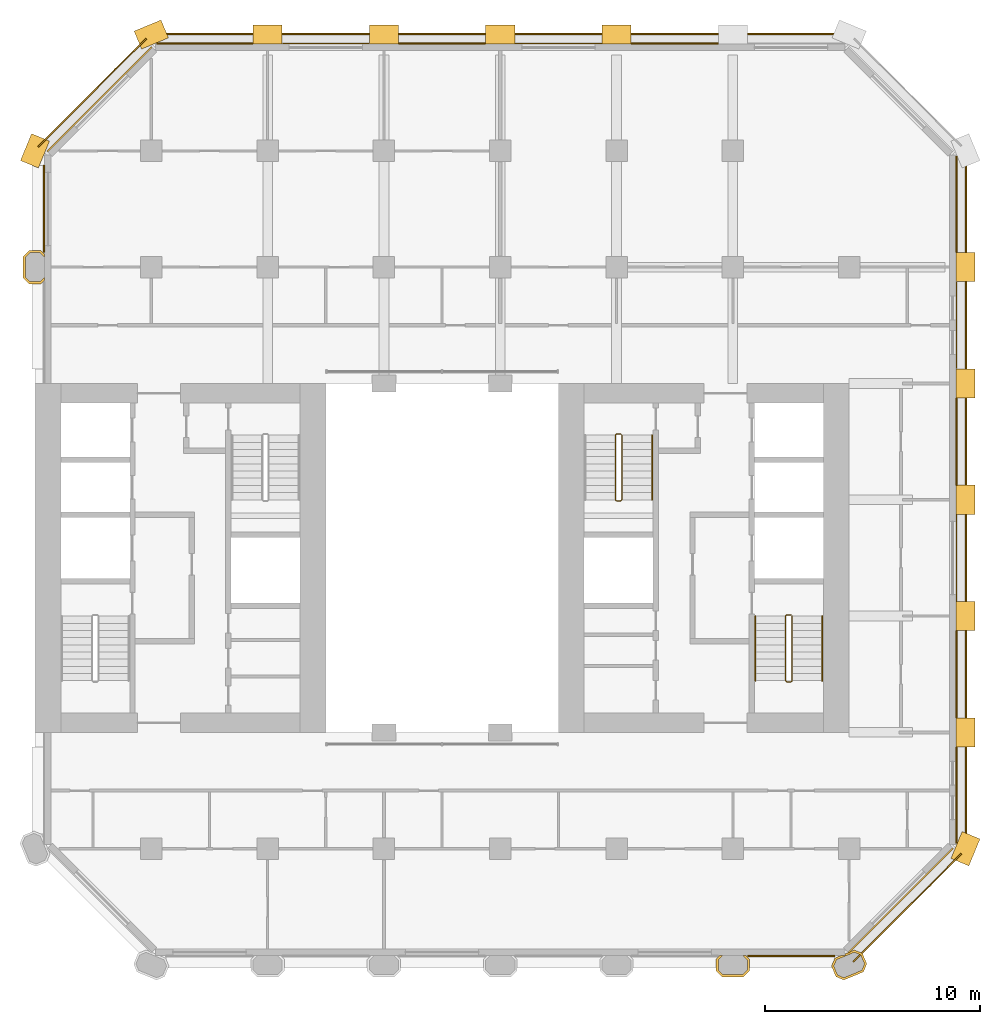
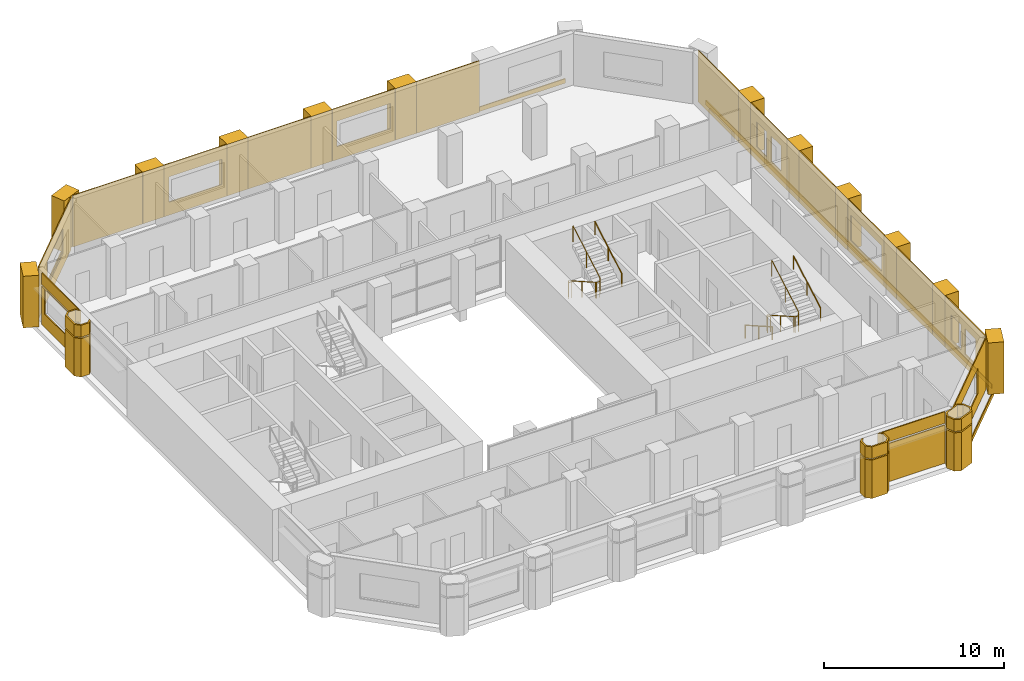
# One storey, part 9 of 10: 39 coverings, 5 railings.
"""IFC4 building model written with IfcOpenShell, lengths in metres."""

from ifc_helpers import new_model, si_unit, direction, frame, frame_2d, origin, origin_2d, place, context, subcontext, project, spatial, polyline, rectangle, circle, outline, extrude, material, layer, layer_set, type_object, element, save


model = new_model("IFC4")

# Units and contexts
model_context = context("Model", 3, precision=1e-05, world=origin(), true_north=direction((0.0, 1.0)))
body_context = subcontext(model_context, "Body", "Model", "MODEL_VIEW")
ifc_project = project(units=[si_unit("LENGTHUNIT", "METRE"), si_unit("AREAUNIT", "SQUARE_METRE"), si_unit("VOLUMEUNIT", "CUBIC_METRE"), si_unit("PLANEANGLEUNIT", "RADIAN"), si_unit("MASSUNIT", "GRAM", prefix="KILO")], contexts=[model_context])

# Site, building, storey
site_placement = place(None, origin())
site = spatial("IfcSite", under=ifc_project, at=site_placement, CompositionType="ELEMENT")
building_placement = place(site_placement, origin())
building = spatial("IfcBuilding", under=site, at=building_placement, Name="Tabaq Tower and Sports Hall", CompositionType="ELEMENT")
storey_placement = place(building_placement, frame((0.0, 0.0, 87.800048828125)))
storey = spatial("IfcBuildingStorey", under=building, at=storey_placement, Name="L20", CompositionType="ELEMENT", Elevation=87.800048828125)

# Coverings
ifc_material_1 = material(Name="Precast concrete C60/75", Category="concrete")
ifc_layer_1 = layer(ifc_material_1, 0.10009765625)
ifc_layer_set_1 = layer_set([ifc_layer_1], Name="Column cladding 100")
covering_type_1 = type_object("IfcCoveringType", Name="Column cladding 100", PredefinedType="CLADDING", material=ifc_layer_set_1)
covering_1_placement = place(storey_placement, origin())
element("IfcCovering", 1, at=covering_1_placement, inside=storey, type_object=covering_type_1, Name="Column cladding L20 PC-2H-O2", PredefinedType="CLADDING", context=body_context, shape_type="SweptSolid", body=[
    extrude(outline(polyline([(5.1337890625, 37.025390625), (4.850341796875, 37.30859375), (4.850341796875, 38.291259765625), (5.1337890625, 38.57470703125), (5.666259765625, 38.57470703125), (5.849609375, 38.391357421875), (5.849609375, 38.250732421875), (5.625244140625, 38.475341796875), (5.1748046875, 38.475341796875), (4.94970703125, 38.250244140625), (4.94970703125, 37.349853515625), (5.1748046875, 37.124755859375), (5.625244140625, 37.124755859375), (5.849609375, 37.349365234375), (5.849609375, 37.208740234375), (5.666259765625, 37.025390625), (5.1337890625, 37.025390625)])), origin(), (0.0, 0.0, 1.0), 2.599853515625),
])
covering_2_placement = place(storey_placement, frame((0.0, 0.0, 2.699951171875)))
element("IfcCovering", 2, at=covering_2_placement, inside=storey, type_object=covering_type_1, Name="Column cladding L20 PC-2H-O2 2", PredefinedType="CLADDING", context=body_context, shape_type="SweptSolid", body=[
    extrude(outline(polyline([(5.1337890625, 37.025390625), (4.850341796875, 37.30859375), (4.850341796875, 38.291259765625), (5.1337890625, 38.57470703125), (5.666259765625, 38.57470703125), (5.849609375, 38.391357421875), (5.849609375, 38.250732421875), (5.625244140625, 38.475341796875), (5.1748046875, 38.475341796875), (4.94970703125, 38.250244140625), (4.94970703125, 37.349853515625), (5.1748046875, 37.124755859375), (5.625244140625, 37.124755859375), (5.849609375, 37.349365234375), (5.849609375, 37.208740234375), (5.666259765625, 37.025390625), (5.1337890625, 37.025390625)])), origin(), (0.0, 0.0, 1.0), 0.800048828125),
])
covering_3_placement = place(storey_placement, origin())
element("IfcCovering", 3, at=covering_3_placement, inside=storey, type_object=covering_type_1, Name="Column cladding L20 PC-8B-O2", PredefinedType="CLADDING", context=body_context, shape_type="SweptSolid", body=[
    extrude(outline(polyline([(37.025390625, 5.666259765625), (37.208740234375, 5.849609375), (37.349365234375, 5.849609375), (37.124755859375, 5.625244140625), (37.124755859375, 5.1748046875), (37.349853515625, 4.94970703125), (38.250244140625, 4.94970703125), (38.475341796875, 5.1748046875), (38.475341796875, 5.625244140625), (38.250732421875, 5.849609375), (38.391357421875, 5.849609375), (38.57470703125, 5.666259765625), (38.57470703125, 5.1337890625), (38.291259765625, 4.850341796875), (37.30859375, 4.850341796875), (37.025390625, 5.1337890625), (37.025390625, 5.666259765625)])), origin(), (0.0, 0.0, 1.0), 2.599853515625),
])
covering_4_placement = place(storey_placement, frame((0.0, 0.0, 2.699951171875)))
element("IfcCovering", 4, at=covering_4_placement, inside=storey, type_object=covering_type_1, Name="Column cladding L20 PC-8B-O2 2", PredefinedType="CLADDING", context=body_context, shape_type="SweptSolid", body=[
    extrude(outline(polyline([(37.025390625, 5.666259765625), (37.208740234375, 5.849609375), (37.349365234375, 5.849609375), (37.124755859375, 5.625244140625), (37.124755859375, 5.1748046875), (37.349853515625, 4.94970703125), (38.250244140625, 4.94970703125), (38.475341796875, 5.1748046875), (38.475341796875, 5.625244140625), (38.250732421875, 5.849609375), (38.391357421875, 5.849609375), (38.57470703125, 5.666259765625), (38.57470703125, 5.1337890625), (38.291259765625, 4.850341796875), (37.30859375, 4.850341796875), (37.025390625, 5.1337890625), (37.025390625, 5.666259765625)])), origin(), (0.0, 0.0, 1.0), 0.800048828125),
])
covering_5_placement = place(storey_placement, origin())
element("IfcCovering", 5, at=covering_5_placement, inside=storey, type_object=covering_type_1, Name="Column cladding L20 PC-9B-O2", PredefinedType="CLADDING", context=body_context, shape_type="SweptSolid", body=[
    extrude(outline(polyline([(42.38232421875, 5.349609375), (42.53564453125, 5.7197265625), (42.84912109375, 5.849609375), (43.013916015625, 5.849609375), (43.013916015625, 5.91796875), (43.16748046875, 5.9814453125), (43.198974609375, 5.9501953125), (43.27490234375, 6.026123046875), (43.443603515625, 6.095947265625), (43.813720703125, 5.9423828125), (44.017578125, 5.450439453125), (43.8642578125, 5.080078125), (42.95654296875, 4.7041015625), (42.586181640625, 4.857421875), (42.38232421875, 5.349609375)]), holes=[polyline([(43.91015625, 5.450439453125), (43.73779296875, 5.866455078125), (43.443603515625, 5.98828125), (42.61181640625, 5.643798828125), (42.489990234375, 5.349609375), (42.662353515625, 4.93359375), (42.95654296875, 4.811767578125), (43.7880859375, 5.15625), (43.91015625, 5.450439453125)])]), origin(), (0.0, 0.0, 1.0), 2.599853515625),
])
covering_6_placement = place(storey_placement, frame((0.0, 0.0, 2.699951171875)))
element("IfcCovering", 6, at=covering_6_placement, inside=storey, type_object=covering_type_1, Name="Column cladding L20 PC-9B-O2 2", PredefinedType="CLADDING", context=body_context, shape_type="SweptSolid", body=[
    extrude(outline(polyline([(42.38232421875, 5.349609375), (42.53564453125, 5.7197265625), (42.84912109375, 5.849609375), (43.013916015625, 5.849609375), (43.013916015625, 5.91796875), (43.16748046875, 5.9814453125), (43.198974609375, 5.9501953125), (43.27490234375, 6.026123046875), (43.443603515625, 6.095947265625), (43.813720703125, 5.9423828125), (44.017578125, 5.450439453125), (43.8642578125, 5.080078125), (42.95654296875, 4.7041015625), (42.586181640625, 4.857421875), (42.38232421875, 5.349609375)]), holes=[polyline([(43.91015625, 5.450439453125), (43.73779296875, 5.866455078125), (43.443603515625, 5.98828125), (42.61181640625, 5.643798828125), (42.489990234375, 5.349609375), (42.662353515625, 4.93359375), (42.95654296875, 4.811767578125), (43.7880859375, 5.15625), (43.91015625, 5.450439453125)])]), origin(), (0.0, 0.0, 1.0), 0.800048828125),
])
ifc_material_2 = material(Name="Precast concrete C60/75", Category="concrete")
ifc_layer_2 = layer(ifc_material_2, 0.06005859375)
ifc_layer_set_2 = layer_set([ifc_layer_2], Name="Edge beam cladding 60")
covering_type_2 = type_object("IfcCoveringType", Name="Edge beam cladding 60", PredefinedType="CLADDING", material=ifc_layer_set_2)
covering_7_placement = place(storey_placement, frame((43.39794921875, 5.5556640625, -0.300048828125), z_axis=(0.0, 0.0, 1.0), x_axis=(0.707124002701, 0.707089559252, 0.0)))
element("IfcCovering", 7, at=covering_7_placement, inside=storey, type_object=covering_type_2, Name="Edge beam cladding L20 1", PredefinedType="CLADDING", context=body_context, shape_type="SweptSolid", body=[
    extrude(rectangle(XDim=7.088134765625, YDim=0.06005859375, at=frame_2d((3.5439453125, 0.0))), origin(), (0.0, 0.0, 1.0), 0.300048828125),
])
for number, where, z_axis, x_axis, name in (
    (8, (48.6298828125, 11.0986328125, -0.300048828125), (0.0, 0.0, 1.0), (0.0, 1.0, 0.0), "Edge beam cladding L20 2"),
    (9, (42.9013671875, 48.6298828125, -0.300048828125), (0.0, 0.0, 1.0), (-1.0, 0.0, 0.0), "Edge beam cladding L20 4"),
):
    element("IfcCovering", number, at=place(storey_placement, frame(where, z_axis=z_axis, x_axis=x_axis)), inside=storey, type_object=covering_type_2, Name=name, PredefinedType="CLADDING", context=body_context, shape_type="SweptSolid", body=[
        extrude(rectangle(XDim=31.802734375, YDim=0.06005859375, at=frame_2d((15.9013671875, 0.0))), origin(), (0.0, 0.0, 1.0), 0.300048828125),
    ])
covering_8_placement = place(storey_placement, frame((10.567626953125, 48.41015625, -0.300048828125), z_axis=(0.0, 0.0, 1.0), x_axis=(-0.707089559252, -0.707124002701, 0.0)))
element("IfcCovering", 10, at=covering_8_placement, inside=storey, type_object=covering_type_2, Name="Edge beam cladding L20 5", PredefinedType="CLADDING", context=body_context, shape_type="SweptSolid", body=[
    extrude(rectangle(XDim=7.088134765625, YDim=0.06005859375, at=frame_2d((3.5439453125, 0.0))), origin(), (0.0, 0.0, 1.0), 0.300048828125),
])
ifc_material_3 = material(Name="White precast concrete C60/75", Category="concrete")
covering_type_3 = type_object("IfcCoveringType", Name="Pier cladding hung 1350x900", PredefinedType="CLADDING", material=ifc_material_3)
for number, where, z_axis, x_axis, name in (
    (11, (5.658203125, 43.82373046875, 0.0), (0.0, 0.0, 1.0), (-0.382649923473, -0.923893411637, 0.0), "Hung pier cladding 1/8"),
    (12, (11.423583984375, 48.8583984375, 0.0), (0.0, 0.0, 1.0), (-0.923893411637, -0.382649923473, 0.0), "Hung pier cladding 2/9"),
    (13, (16.875, 48.60009765625, 0.0), (0.0, 0.0, 1.0), (-1.0, 0.0, 0.0), "Hung pier cladding 3/9"),
):
    element("IfcCovering", number, at=place(storey_placement, frame(where, z_axis=z_axis, x_axis=x_axis)), inside=storey, type_object=covering_type_3, Name=name, PredefinedType="CLADDING", context=body_context, shape_type="SweptSolid", body=[
        extrude(rectangle(XDim=1.35009765625, YDim=0.89990234375, at=frame_2d((0.675048828125, 0.0))), origin(), (0.0, 0.0, 1.0), 3.5),
    ])
covering_9_placement = place(storey_placement, frame((22.27490234375, 48.60009765625, 0.0), z_axis=(0.0, 0.0, 1.0), x_axis=(-1.0, 0.0, 0.0)))
element("IfcCovering", 14, at=covering_9_placement, inside=storey, type_object=covering_type_3, Name="Hung pier cladding 4/9", PredefinedType="CLADDING", context=body_context, shape_type="SweptSolid", body=[
    extrude(rectangle(XDim=1.349853515625, YDim=0.89990234375, at=frame_2d((0.6748046875, 0.0))), origin(), (0.0, 0.0, 1.0), 3.5),
])
covering_10_placement = place(storey_placement, frame((27.675048828125, 48.60009765625, 0.0), z_axis=(0.0, 0.0, 1.0), x_axis=(-1.0, 0.0, 0.0)))
element("IfcCovering", 15, at=covering_10_placement, inside=storey, type_object=covering_type_3, Name="Hung pier cladding 5/9", PredefinedType="CLADDING", context=body_context, shape_type="SweptSolid", body=[
    extrude(rectangle(XDim=1.35009765625, YDim=0.89990234375, at=frame_2d((0.675048828125, 0.0))), origin(), (0.0, 0.0, 1.0), 3.5),
])
covering_11_placement = place(storey_placement, frame((33.074951171875, 48.60009765625, 0.0), z_axis=(0.0, 0.0, 1.0), x_axis=(-1.0, 0.0, 0.0)))
element("IfcCovering", 16, at=covering_11_placement, inside=storey, type_object=covering_type_3, Name="Hung pier cladding 6/9", PredefinedType="CLADDING", context=body_context, shape_type="SweptSolid", body=[
    extrude(rectangle(XDim=1.349853515625, YDim=0.89990234375, at=frame_2d((0.6748046875, 0.0))), origin(), (0.0, 0.0, 1.0), 3.5),
])
for number, where, z_axis, x_axis, name in (
    (17, (48.341796875, 10.17626953125, 0.0), (0.0, 0.0, 1.0), (0.382649923473, 0.923893411637, 0.0), "Hung pier cladding 9/2"),
    (18, (48.60009765625, 15.52490234375, 0.0), (0.0, 0.0, 1.0), (0.0, 1.0, 0.0), "Hung pier cladding 9/3"),
):
    element("IfcCovering", number, at=place(storey_placement, frame(where, z_axis=z_axis, x_axis=x_axis)), inside=storey, type_object=covering_type_3, Name=name, PredefinedType="CLADDING", context=body_context, shape_type="SweptSolid", body=[
        extrude(rectangle(XDim=1.35009765625, YDim=0.89990234375, at=frame_2d((0.675048828125, 0.0))), origin(), (0.0, 0.0, 1.0), 3.5),
    ])
covering_12_placement = place(storey_placement, frame((48.60009765625, 20.925048828125, 0.0), z_axis=(0.0, 0.0, 1.0), x_axis=(0.0, 1.0, 0.0)))
element("IfcCovering", 19, at=covering_12_placement, inside=storey, type_object=covering_type_3, Name="Hung pier cladding 9/4", PredefinedType="CLADDING", context=body_context, shape_type="SweptSolid", body=[
    extrude(rectangle(XDim=1.349853515625, YDim=0.89990234375, at=frame_2d((0.6748046875, 0.0))), origin(), (0.0, 0.0, 1.0), 3.5),
])
covering_13_placement = place(storey_placement, frame((48.60009765625, 26.324951171875, 0.0), z_axis=(0.0, 0.0, 1.0), x_axis=(0.0, 1.0, 0.0)))
element("IfcCovering", 20, at=covering_13_placement, inside=storey, type_object=covering_type_3, Name="Hung pier cladding 9/5", PredefinedType="CLADDING", context=body_context, shape_type="SweptSolid", body=[
    extrude(rectangle(XDim=1.35009765625, YDim=0.89990234375, at=frame_2d((0.675048828125, 0.0))), origin(), (0.0, 0.0, 1.0), 3.5),
])
covering_14_placement = place(storey_placement, frame((48.60009765625, 31.72509765625, 0.0), z_axis=(0.0, 0.0, 1.0), x_axis=(0.0, 1.0, 0.0)))
element("IfcCovering", 21, at=covering_14_placement, inside=storey, type_object=covering_type_3, Name="Hung pier cladding 9/6", PredefinedType="CLADDING", context=body_context, shape_type="SweptSolid", body=[
    extrude(rectangle(XDim=1.349853515625, YDim=0.89990234375, at=frame_2d((0.6748046875, 0.0))), origin(), (0.0, 0.0, 1.0), 3.5),
])
covering_15_placement = place(storey_placement, frame((48.60009765625, 37.125, 0.0), z_axis=(0.0, 0.0, 1.0), x_axis=(0.0, 1.0, 0.0)))
element("IfcCovering", 22, at=covering_15_placement, inside=storey, type_object=covering_type_3, Name="Hung pier cladding 9/7", PredefinedType="CLADDING", context=body_context, shape_type="SweptSolid", body=[
    extrude(rectangle(XDim=1.35009765625, YDim=0.89990234375, at=frame_2d((0.675048828125, 0.0))), origin(), (0.0, 0.0, 1.0), 3.5),
])

# Railings
ifc_material_4 = material(Name="Stainless steel", Category="steel")
railing_type_1 = type_object("IfcRailingType", Name="Stair guard", PredefinedType="GUARDRAIL", material=ifc_material_4)
railing_1_placement = place(storey_placement, frame((40.5, 21.64990234375, 0.0)))
element("IfcRailing", 23, at=railing_1_placement, inside=storey, type_object=railing_type_1, Name="L20 ST3 stair guard 1", PredefinedType="GUARDRAIL", context=body_context, shape_type="SweptSolid", body=[
    extrude(circle(Radius=0.02392578125, at=origin_2d()), frame((0.0, 0.0, 1.076171875), z_axis=(-1.0, 0.0, 0.0), x_axis=(0.0, -1.0, 0.0)), (0.0, 0.0, 1.0), 0.199951171875),
    extrude(circle(Radius=0.02392578125, at=origin_2d()), frame((-0.199951171875, 0.0, 1.076171875), z_axis=(-0.246983470365, -0.245778672949, 0.937332389972), x_axis=(0.705375805398, -0.708833529934, 0.0)), (0.0, 0.0, 1.0), 0.20263671875),
    extrude(circle(Radius=0.02392578125, at=origin_2d()), frame((-0.25, -0.0498046875, 1.26611328125), z_axis=(0.0, -0.868782136927, 0.495194505781), x_axis=(1.0, 0.0, 0.0)), (0.0, 0.0, 1.0), 3.453125),
    extrude(circle(Radius=0.02392578125, at=origin_2d()), frame((-0.25, -3.0498046875, 2.97607421875), z_axis=(0.707106781187, -0.707106781187, 0.0), x_axis=(0.707106781187, 0.707106781187, 0.0)), (0.0, 0.0, 1.0), 0.07080078125),
    extrude(circle(Radius=0.02392578125, at=origin_2d()), frame((-0.199951171875, -3.099853515625, 2.97607421875), z_axis=(1.0, 0.0, 0.0), x_axis=(0.0, 1.0, 0.0)), (0.0, 0.0, 1.0), 0.199951171875),
    extrude(circle(Radius=0.02392578125, at=origin_2d()), frame((0.0, -3.099853515625, 2.97607421875), z_axis=(0.246910188598, 0.246910188598, 0.937054276727), x_axis=(-0.707106781187, 0.707106781187, 0.0)), (0.0, 0.0, 1.0), 0.20263671875),
    extrude(circle(Radius=0.02392578125, at=origin_2d()), frame((0.050048828125, -3.0498046875, 3.166015625), z_axis=(0.0, 0.868751719353, 0.495247867356), x_axis=(-1.0, 0.0, 0.0)), (0.0, 0.0, 1.0), 3.453125),
    extrude(circle(Radius=0.02099609375, at=origin_2d()), origin(), (0.0, 0.0, 1.0), 1.052001953125),
    extrude(circle(Radius=0.02099609375, at=origin_2d()), frame((-0.199951171875, 0.0, 0.0)), (0.0, 0.0, 1.0), 1.052001953125),
    extrude(circle(Radius=0.02099609375, at=origin_2d()), frame((-0.25, -0.0498046875, 0.18994140625)), (0.0, 0.0, 1.0), 1.052001953125),
    extrude(circle(Radius=0.02099609375, at=origin_2d()), frame((-0.25, -1.5498046875, 1.044921875)), (0.0, 0.0, 1.0), 1.052001953125),
    extrude(circle(Radius=0.02099609375, at=origin_2d()), frame((-0.25, -3.0498046875, 1.89990234375)), (0.0, 0.0, 1.0), 1.052001953125),
    extrude(circle(Radius=0.02099609375, at=origin_2d()), frame((-0.199951171875, -3.099853515625, 1.89990234375)), (0.0, 0.0, 1.0), 1.052001953125),
    extrude(circle(Radius=0.02099609375, at=origin_2d()), frame((0.0, -3.099853515625, 1.89990234375)), (0.0, 0.0, 1.0), 1.052001953125),
    extrude(circle(Radius=0.02099609375, at=origin_2d()), frame((0.050048828125, -3.0498046875, 2.08984375)), (0.0, 0.0, 1.0), 1.052001953125),
    extrude(circle(Radius=0.02099609375, at=origin_2d()), frame((0.050048828125, -1.5498046875, 2.94482421875)), (0.0, 0.0, 1.0), 1.052001953125),
    extrude(circle(Radius=0.02099609375, at=origin_2d()), frame((0.050048828125, -0.0498046875, 3.800048828125)), (0.0, 0.0, 1.0), 1.052001953125),
])
railing_2_placement = place(storey_placement, frame((32.60009765625, 30.050048828125, 0.0)))
element("IfcRailing", 24, at=railing_2_placement, inside=storey, type_object=railing_type_1, Name="L20 ST4 stair guard 1", PredefinedType="GUARDRAIL", context=body_context, shape_type="SweptSolid", body=[
    extrude(circle(Radius=0.02392578125, at=origin_2d()), frame((0.0, 0.0, 1.076171875), z_axis=(-1.0, 0.0, 0.0), x_axis=(0.0, -1.0, 0.0)), (0.0, 0.0, 1.0), 0.2001953125),
    extrude(circle(Radius=0.02392578125, at=origin_2d()), frame((-0.2001953125, 0.0, 1.076171875), z_axis=(-0.245778672949, -0.246983470365, 0.937332389972), x_axis=(0.708833529934, -0.705375805398, 0.0)), (0.0, 0.0, 1.0), 0.20263671875),
    extrude(circle(Radius=0.02392578125, at=origin_2d()), frame((-0.25, -0.050048828125, 1.26611328125), z_axis=(0.0, -0.868782136927, 0.495194505781), x_axis=(1.0, 0.0, 0.0)), (0.0, 0.0, 1.0), 3.453125),
    extrude(circle(Radius=0.02392578125, at=origin_2d()), frame((-0.25, -3.050048828125, 2.97607421875), z_axis=(0.705375805398, -0.708833529934, 0.0), x_axis=(0.708833529934, 0.705375805398, 0.0)), (0.0, 0.0, 1.0), 0.070556640625),
    extrude(circle(Radius=0.02392578125, at=origin_2d()), frame((-0.2001953125, -3.10009765625, 2.97607421875), z_axis=(1.0, 0.0, 0.0), x_axis=(0.0, 1.0, 0.0)), (0.0, 0.0, 1.0), 0.2001953125),
    extrude(circle(Radius=0.02392578125, at=origin_2d()), frame((0.0, -3.10009765625, 2.97607421875), z_axis=(0.245778672949, 0.246983470365, 0.937332389972), x_axis=(-0.708833529934, 0.705375805398, 0.0)), (0.0, 0.0, 1.0), 0.20263671875),
    extrude(circle(Radius=0.02392578125, at=origin_2d()), frame((0.0498046875, -3.050048828125, 3.166015625), z_axis=(0.0, 0.868751719353, 0.495247867356), x_axis=(-1.0, 0.0, 0.0)), (0.0, 0.0, 1.0), 3.453125),
    extrude(circle(Radius=0.02099609375, at=origin_2d()), origin(), (0.0, 0.0, 1.0), 1.052001953125),
    extrude(circle(Radius=0.02099609375, at=origin_2d()), frame((-0.2001953125, 0.0, 0.0)), (0.0, 0.0, 1.0), 1.052001953125),
    extrude(circle(Radius=0.02099609375, at=origin_2d()), frame((-0.25, -0.050048828125, 0.18994140625)), (0.0, 0.0, 1.0), 1.052001953125),
    extrude(circle(Radius=0.02099609375, at=origin_2d()), frame((-0.25, -1.550048828125, 1.044921875)), (0.0, 0.0, 1.0), 1.052001953125),
    extrude(circle(Radius=0.02099609375, at=origin_2d()), frame((-0.25, -3.050048828125, 1.89990234375)), (0.0, 0.0, 1.0), 1.052001953125),
    extrude(circle(Radius=0.02099609375, at=origin_2d()), frame((-0.2001953125, -3.10009765625, 1.89990234375)), (0.0, 0.0, 1.0), 1.052001953125),
    extrude(circle(Radius=0.02099609375, at=origin_2d()), frame((0.0, -3.10009765625, 1.89990234375)), (0.0, 0.0, 1.0), 1.052001953125),
    extrude(circle(Radius=0.02099609375, at=origin_2d()), frame((0.0498046875, -3.050048828125, 2.08984375)), (0.0, 0.0, 1.0), 1.052001953125),
    extrude(circle(Radius=0.02099609375, at=origin_2d()), frame((0.0498046875, -1.550048828125, 2.94482421875)), (0.0, 0.0, 1.0), 1.052001953125),
    extrude(circle(Radius=0.02099609375, at=origin_2d()), frame((0.0498046875, -0.050048828125, 3.800048828125)), (0.0, 0.0, 1.0), 1.052001953125),
])
ifc_material_5 = material(Name="Stainless steel", Category="steel")
railing_type_2 = type_object("IfcRailingType", Name="Stair handrail", PredefinedType="HANDRAIL", material=ifc_material_5)
railing_3_placement = place(storey_placement, frame((38.85009765625, 21.60009765625, 0.18994140625)))
element("IfcRailing", 25, at=railing_3_placement, inside=storey, type_object=railing_type_2, Name="L20 ST3 stair handrail 1", PredefinedType="HANDRAIL", context=body_context, shape_type="SweptSolid", body=[
    extrude(circle(Radius=0.02392578125, at=origin_2d()), frame((0.0, 0.0, 0.8759765625), z_axis=(0.0, -0.868782136927, 0.495194505781), x_axis=(1.0, 0.0, 0.0)), (0.0, 0.0, 1.0), 3.453125),
    extrude(circle(Radius=0.02099609375, at=origin_2d()), origin(), (0.0, 0.0, 1.0), 0.851806640625),
    extrude(circle(Radius=0.02099609375, at=origin_2d()), frame((0.0, -1.5, 0.85498046875)), (0.0, 0.0, 1.0), 0.851806640625),
    extrude(circle(Radius=0.02099609375, at=origin_2d()), frame((0.0, -3.0, 1.7099609375)), (0.0, 0.0, 1.0), 0.851806640625),
])
for number, where, name in (
    (26, (41.949951171875, 18.60009765625, 2.08984375), "L20 ST3 stair handrail 2"),
    (27, (34.050048828125, 27.0, 2.08984375), "L20 ST4 stair handrail 2"),
):
    element("IfcRailing", number, at=place(storey_placement, frame(where)), inside=storey, type_object=railing_type_2, Name=name, PredefinedType="HANDRAIL", context=body_context, shape_type="SweptSolid", body=[
        extrude(circle(Radius=0.02392578125, at=origin_2d()), frame((0.0, 0.0, 0.8759765625), z_axis=(0.0, 0.868751719353, 0.495247867356), x_axis=(-1.0, 0.0, 0.0)), (0.0, 0.0, 1.0), 3.453125),
        extrude(circle(Radius=0.02099609375, at=origin_2d()), origin(), (0.0, 0.0, 1.0), 0.851806640625),
        extrude(circle(Radius=0.02099609375, at=origin_2d()), frame((0.0, 1.5, 0.85498046875)), (0.0, 0.0, 1.0), 0.851806640625),
        extrude(circle(Radius=0.02099609375, at=origin_2d()), frame((0.0, 3.0, 1.710205078125)), (0.0, 0.0, 1.0), 0.851806640625),
    ])

# Coverings
ifc_material_6 = material(Name="Precast concrete C60/75", Category="concrete")
ifc_layer_3 = layer(ifc_material_6, 0.06005859375)
ifc_layer_set_3 = layer_set([ifc_layer_3], Name="White precast cladding panel 60 C60/75")
covering_type_4 = type_object("IfcCoveringType", Name="White precast cladding panel 60 C60/75", PredefinedType="CLADDING", material=ifc_layer_set_3)
covering_16_placement = place(storey_placement, frame((38.485107421875, 5.820068359375, 0.0), z_axis=(0.0, 0.0, 1.0), x_axis=(1.0, 0.0, 0.0)))
element("IfcCovering", 28, at=covering_16_placement, inside=storey, type_object=covering_type_4, Name="White precast cladding panel L20 wall00 11", PredefinedType="CLADDING", context=body_context, shape_type="SweptSolid", body=[
    extrude(rectangle(XDim=4.0498046875, YDim=0.06005859375, at=frame_2d((2.02490234375, 0.0))), origin(), (0.0, 0.0, 1.0), 2.58984375),
])
covering_17_placement = place(storey_placement, frame((38.485107421875, 5.820068359375, 2.7099609375), z_axis=(0.0, 0.0, 1.0), x_axis=(1.0, 0.0, 0.0)))
element("IfcCovering", 29, at=covering_17_placement, inside=storey, type_object=covering_type_4, Name="White precast cladding panel L20 wall00 12", PredefinedType="CLADDING", context=body_context, shape_type="SweptSolid", body=[
    extrude(rectangle(XDim=4.0498046875, YDim=0.06005859375, at=frame_2d((2.02490234375, 0.0))), origin(), (0.0, 0.0, 1.0), 0.7900390625),
])
covering_18_placement = place(storey_placement, frame((43.177734375, 5.9716796875, 0.0), z_axis=(0.0, 0.0, 1.0), x_axis=(0.707106781187, 0.707106781187, 0.0)))
element("IfcCovering", 30, at=covering_18_placement, inside=storey, type_object=covering_type_4, Name="White precast cladding panel L20 wall01", PredefinedType="CLADDING", context=body_context, shape_type="SweptSolid", body=[
    extrude(outline(polyline([(0.0, 0.0), (6.85986328125, 0.0), (6.85986328125, 3.5), (0.0, 3.5), (0.0, 0.0)]), holes=[polyline([(1.7197265625, 0.889892578125), (1.7197265625, 2.60986328125), (5.139892578125, 2.60986328125), (5.139892578125, 0.889892578125), (1.7197265625, 0.889892578125)])]), frame((0.0, 0.030029296875, 0.0), z_axis=(0.0, -1.0, 0.0), x_axis=(1.0, 0.0, 0.0)), (0.0, 0.0, 1.0), 0.06005859375),
])
covering_19_placement = place(storey_placement, frame((48.179931640625, 11.043212890625, 0.0), z_axis=(0.0, 0.0, 1.0), x_axis=(0.0, 1.0, 0.0)))
element("IfcCovering", 31, at=covering_19_placement, inside=storey, type_object=covering_type_4, Name="White precast cladding panel L20 wall02", PredefinedType="CLADDING", context=body_context, shape_type="SweptSolid", body=[
    extrude(outline(polyline([(0.0, 0.0), (4.4716796875, 0.0), (4.4716796875, 3.5), (0.0, 3.5), (0.0, 0.0)]), holes=[polyline([(1.096923828125, 2.60986328125), (2.216796875, 2.60986328125), (2.216796875, 0.889892578125), (1.096923828125, 0.889892578125), (1.096923828125, 2.60986328125)]), polyline([(2.69677734375, 2.60986328125), (3.81689453125, 2.60986328125), (3.81689453125, 0.889892578125), (2.69677734375, 0.889892578125), (2.69677734375, 2.60986328125)])]), frame((0.0, 0.030029296875, 0.0), z_axis=(0.0, -1.0, 0.0), x_axis=(1.0, 0.0, 0.0)), (0.0, 0.0, 1.0), 0.06005859375),
])
covering_20_placement = place(storey_placement, frame((48.179931640625, 16.885009765625, 0.0), z_axis=(0.0, 0.0, 1.0), x_axis=(0.0, 1.0, 0.0)))
element("IfcCovering", 32, at=covering_20_placement, inside=storey, type_object=covering_type_4, Name="White precast cladding panel L20 wall02 2", PredefinedType="CLADDING", context=body_context, shape_type="SweptSolid", body=[
    extrude(rectangle(XDim=4.030029296875, YDim=0.06005859375, at=frame_2d((2.01513671875, 0.0))), origin(), (0.0, 0.0, 1.0), 3.5),
])
covering_21_placement = place(storey_placement, frame((48.179931640625, 22.284912109375, 0.0), z_axis=(0.0, 0.0, 1.0), x_axis=(0.0, 1.0, 0.0)))
element("IfcCovering", 33, at=covering_21_placement, inside=storey, type_object=covering_type_4, Name="White precast cladding panel L20 wall02 3", PredefinedType="CLADDING", context=body_context, shape_type="SweptSolid", body=[
    extrude(outline(polyline([(0.0, 0.0), (4.030029296875, 0.0), (4.030029296875, 3.5), (0.0, 3.5), (0.0, 0.0)]), holes=[polyline([(0.304931640625, 0.889892578125), (0.304931640625, 2.60986328125), (3.72509765625, 2.60986328125), (3.72509765625, 0.889892578125), (0.304931640625, 0.889892578125)])]), frame((0.0, 0.030029296875, 0.0), z_axis=(0.0, -1.0, 0.0), x_axis=(1.0, 0.0, 0.0)), (0.0, 0.0, 1.0), 0.06005859375),
])
covering_22_placement = place(storey_placement, frame((48.179931640625, 27.68505859375, 0.0), z_axis=(0.0, 0.0, 1.0), x_axis=(0.0, 1.0, 0.0)))
element("IfcCovering", 34, at=covering_22_placement, inside=storey, type_object=covering_type_4, Name="White precast cladding panel L20 wall02 4", PredefinedType="CLADDING", context=body_context, shape_type="SweptSolid", body=[
    extrude(rectangle(XDim=4.030029296875, YDim=0.06005859375, at=frame_2d((2.01513671875, 0.0))), origin(), (0.0, 0.0, 1.0), 3.5),
])
covering_23_placement = place(storey_placement, frame((48.179931640625, 33.0849609375, 0.0), z_axis=(0.0, 0.0, 1.0), x_axis=(0.0, 1.0, 0.0)))
element("IfcCovering", 35, at=covering_23_placement, inside=storey, type_object=covering_type_4, Name="White precast cladding panel L20 wall02 5", PredefinedType="CLADDING", context=body_context, shape_type="SweptSolid", body=[
    extrude(outline(polyline([(0.0, 0.0), (4.030029296875, 0.0), (4.030029296875, 3.5), (0.0, 3.5), (0.0, 0.0)]), holes=[polyline([(0.655029296875, 2.60986328125), (1.77490234375, 2.60986328125), (1.77490234375, 0.889892578125), (0.655029296875, 0.889892578125), (0.655029296875, 2.60986328125)]), polyline([(2.2548828125, 2.60986328125), (3.375, 2.60986328125), (3.375, 0.889892578125), (2.2548828125, 0.889892578125), (2.2548828125, 2.60986328125)])]), frame((0.0, 0.030029296875, 0.0), z_axis=(0.0, -1.0, 0.0), x_axis=(1.0, 0.0, 0.0)), (0.0, 0.0, 1.0), 0.06005859375),
])
covering_24_placement = place(storey_placement, frame((48.179931640625, 38.485107421875, 0.0), z_axis=(0.0, 0.0, 1.0), x_axis=(0.0, 1.0, 0.0)))
element("IfcCovering", 36, at=covering_24_placement, inside=storey, type_object=covering_type_4, Name="White precast cladding panel L20 wall02 6", PredefinedType="CLADDING", context=body_context, shape_type="SweptSolid", body=[
    extrude(rectangle(XDim=4.4716796875, YDim=0.06005859375, at=frame_2d((2.23583984375, 0.0))), origin(), (0.0, 0.0, 1.0), 3.5),
])
covering_25_placement = place(storey_placement, frame((37.114990234375, 48.179931640625, 0.0), z_axis=(0.0, 0.0, 1.0), x_axis=(-1.0, 0.0, 0.0)))
element("IfcCovering", 37, at=covering_25_placement, inside=storey, type_object=covering_type_4, Name="White precast cladding panel L20 wall04 2", PredefinedType="CLADDING", context=body_context, shape_type="SweptSolid", body=[
    extrude(rectangle(XDim=4.030029296875, YDim=0.06005859375, at=frame_2d((2.01513671875, 0.0))), origin(), (0.0, 0.0, 1.0), 3.5),
])
covering_26_placement = place(storey_placement, frame((31.715087890625, 48.179931640625, 0.0), z_axis=(0.0, 0.0, 1.0), x_axis=(-1.0, 0.0, 0.0)))
element("IfcCovering", 38, at=covering_26_placement, inside=storey, type_object=covering_type_4, Name="White precast cladding panel L20 wall04 3", PredefinedType="CLADDING", context=body_context, shape_type="SweptSolid", body=[
    extrude(outline(polyline([(0.0, 0.0), (4.030029296875, 0.0), (4.030029296875, 3.5), (0.0, 3.5), (0.0, 0.0)]), holes=[polyline([(0.304931640625, 0.889892578125), (0.304931640625, 2.60986328125), (3.72509765625, 2.60986328125), (3.72509765625, 0.889892578125), (0.304931640625, 0.889892578125)])]), frame((0.0, 0.030029296875, 0.0), z_axis=(0.0, -1.0, 0.0), x_axis=(1.0, 0.0, 0.0)), (0.0, 0.0, 1.0), 0.06005859375),
])
covering_27_placement = place(storey_placement, frame((26.31494140625, 48.179931640625, 0.0), z_axis=(0.0, 0.0, 1.0), x_axis=(-1.0, 0.0, 0.0)))
element("IfcCovering", 39, at=covering_27_placement, inside=storey, type_object=covering_type_4, Name="White precast cladding panel L20 wall04 4", PredefinedType="CLADDING", context=body_context, shape_type="SweptSolid", body=[
    extrude(rectangle(XDim=4.030029296875, YDim=0.06005859375, at=frame_2d((2.01513671875, 0.0))), origin(), (0.0, 0.0, 1.0), 3.5),
])
covering_28_placement = place(storey_placement, frame((20.9150390625, 48.179931640625, 0.0), z_axis=(0.0, 0.0, 1.0), x_axis=(-1.0, 0.0, 0.0)))
element("IfcCovering", 40, at=covering_28_placement, inside=storey, type_object=covering_type_4, Name="White precast cladding panel L20 wall04 5", PredefinedType="CLADDING", context=body_context, shape_type="SweptSolid", body=[
    extrude(outline(polyline([(0.0, 0.0), (4.030029296875, 0.0), (4.030029296875, 3.5), (0.0, 3.5), (0.0, 0.0)]), holes=[polyline([(0.304931640625, 0.889892578125), (0.304931640625, 2.60986328125), (3.72509765625, 2.60986328125), (3.72509765625, 0.889892578125), (0.304931640625, 0.889892578125)])]), frame((0.0, 0.030029296875, 0.0), z_axis=(0.0, -1.0, 0.0), x_axis=(1.0, 0.0, 0.0)), (0.0, 0.0, 1.0), 0.06005859375),
])
covering_29_placement = place(storey_placement, frame((15.514892578125, 48.179931640625, 0.0), z_axis=(0.0, 0.0, 1.0), x_axis=(-1.0, 0.0, 0.0)))
element("IfcCovering", 41, at=covering_29_placement, inside=storey, type_object=covering_type_4, Name="White precast cladding panel L20 wall04 6", PredefinedType="CLADDING", context=body_context, shape_type="SweptSolid", body=[
    extrude(rectangle(XDim=4.4716796875, YDim=0.06005859375, at=frame_2d((2.23583984375, 0.0))), origin(), (0.0, 0.0, 1.0), 3.5),
])
covering_30_placement = place(storey_placement, frame((10.822265625, 48.0283203125, 0.0), z_axis=(0.0, 0.0, 1.0), x_axis=(-0.707106781187, -0.707106781187, 0.0)))
element("IfcCovering", 42, at=covering_30_placement, inside=storey, type_object=covering_type_4, Name="White precast cladding panel L20 wall05", PredefinedType="CLADDING", context=body_context, shape_type="SweptSolid", body=[
    extrude(outline(polyline([(0.0, 0.0), (6.85986328125, 0.0), (6.85986328125, 3.5), (0.0, 3.5), (0.0, 0.0)]), holes=[polyline([(1.7197265625, 0.889892578125), (1.7197265625, 2.60986328125), (5.139892578125, 2.60986328125), (5.139892578125, 0.889892578125), (1.7197265625, 0.889892578125)])]), frame((0.0, 0.030029296875, 0.0), z_axis=(0.0, -1.0, 0.0), x_axis=(1.0, 0.0, 0.0)), (0.0, 0.0, 1.0), 0.06005859375),
])
covering_31_placement = place(storey_placement, frame((5.820068359375, 42.534912109375, 0.0), z_axis=(0.0, 0.0, 1.0), x_axis=(0.0, -1.0, 0.0)))
element("IfcCovering", 43, at=covering_31_placement, inside=storey, type_object=covering_type_4, Name="White precast cladding panel L20 wall06", PredefinedType="CLADDING", context=body_context, shape_type="SweptSolid", body=[
    extrude(outline(polyline([(0.0, 0.0), (4.0498046875, 0.0), (4.0498046875, 2.58984375), (0.0, 2.58984375), (0.0, 0.0)]), holes=[polyline([(3.7451171875, 0.889892578125), (0.324951171875, 0.889892578125), (0.324951171875, 2.56005859375), (3.7451171875, 2.56005859375), (3.7451171875, 0.889892578125)])]), frame((0.0, 0.030029296875, 0.0), z_axis=(0.0, -1.0, 0.0), x_axis=(1.0, 0.0, 0.0)), (0.0, 0.0, 1.0), 0.06005859375),
])
covering_32_placement = place(storey_placement, frame((5.820068359375, 42.534912109375, 2.7099609375), z_axis=(0.0, 0.0, 1.0), x_axis=(0.0, -1.0, 0.0)))
element("IfcCovering", 44, at=covering_32_placement, inside=storey, type_object=covering_type_4, Name="White precast cladding panel L20 wall06 2", PredefinedType="CLADDING", context=body_context, shape_type="SweptSolid", body=[
    extrude(rectangle(XDim=4.0498046875, YDim=0.06005859375, at=frame_2d((2.02490234375, 0.0))), origin(), (0.0, 0.0, 1.0), 0.7900390625),
])

save(model, "model.ifc")
